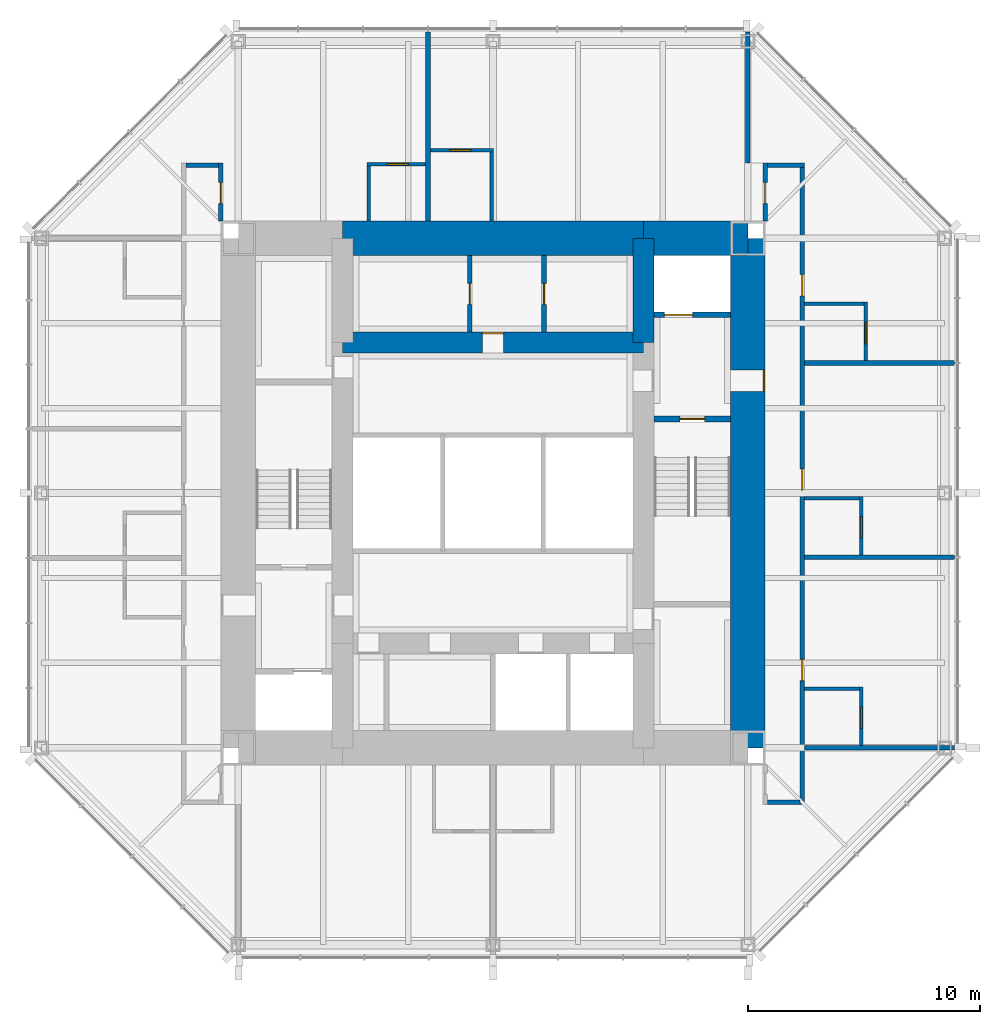
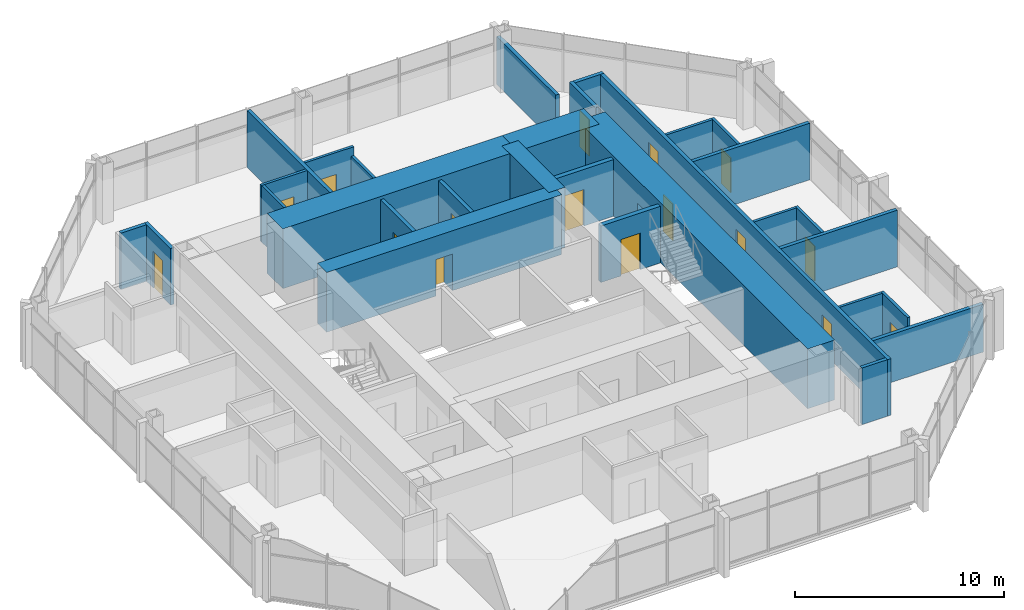
# One storey, part 9 of 11: 30 walls, 16 doors, 16 openings.
"""IFC4 building model written with IfcOpenShell, lengths in metres."""

import ifcopenshell
import ifcopenshell.guid

model = None  # the IFC model being written
_history = None  # IfcOwnerHistory: only IFC2X3 demands one
_inside = {}  # id of a spatial element -> (the spatial element, [elements in it])
_under = {}  # id of a project, library or spatial element -> (it, [spatial elements below it])
_declared = {}  # id of a project -> (the project, [libraries it declares])
_typed = {}  # id of a type object -> (the type object, [elements of that type])
_made_of = {}  # id of a material, layer set ... -> (it, [elements and type objects made of it])


def new_model(schema):
    """Start an empty IFC model of exactly this schema.

    Asked for "IFC4X3", IfcOpenShell would pick the latest addendum, in which some entities
    have other attributes; the version numbers below select the first issue.
    IFC2X3 requires an IfcOwnerHistory on every rooted entity: one is made here for all.
    """
    global model, _history
    if schema == "IFC4X3":
        model = ifcopenshell.file(schema_version=(4, 3, 0, 0))
    else:
        model = ifcopenshell.file(schema=schema)
    _inside.clear()
    _under.clear()
    _declared.clear()
    _typed.clear()
    _made_of.clear()
    _history = None
    if model.schema == "IFC2X3":
        org = make("IfcOrganization", Name="unknown")
        user = make(
            "IfcPersonAndOrganization",
            ThePerson=make("IfcPerson", FamilyName="unknown"),
            TheOrganization=org,
        )
        app = make(
            "IfcApplication",
            ApplicationDeveloper=org,
            Version="unknown",
            ApplicationFullName="unknown",
            ApplicationIdentifier="unknown",
        )
        _history = make(
            "IfcOwnerHistory",
            OwningUser=user,
            OwningApplication=app,
            ChangeAction="ADDED",
            CreationDate=0,
        )
    return model


def make(cls, **values):
    """One entity of the class cls with the attributes given. An attribute that is None is left unset."""
    return model.create_entity(
        cls, **{name: value for name, value in values.items() if value is not None}
    )


def rooted(cls, **values):
    """An entity with a GlobalId (a new one), such as an element, a storey or a relation."""
    return make(cls, GlobalId=ifcopenshell.guid.new(), OwnerHistory=_history, **values)


def si_unit(unit_type, name, prefix=None):
    """IfcSIUnit, for example si_unit("LENGTHUNIT", "METRE", prefix="MILLI")."""
    return make("IfcSIUnit", UnitType=unit_type, Prefix=prefix, Name=name)


def assignment(units):
    """IfcUnitAssignment: the units of a project."""
    return None if units is None else make("IfcUnitAssignment", Units=units)


def point(xyz):
    """IfcCartesianPoint."""
    return None if xyz is None else make("IfcCartesianPoint", Coordinates=xyz)


def direction(xyz):
    """IfcDirection."""
    return None if xyz is None else make("IfcDirection", DirectionRatios=xyz)


def frame(location, z_axis=None, x_axis=None):
    """IfcAxis2Placement3D, a coordinate frame: its origin and axes. An axis left out is left unset."""
    return make(
        "IfcAxis2Placement3D",
        Location=point(location),
        Axis=direction(z_axis),
        RefDirection=direction(x_axis),
    )


def frame_2d(location, x_axis=None):
    """IfcAxis2Placement2D, a coordinate frame in the plane: its origin and x axis."""
    return make(
        "IfcAxis2Placement2D", Location=point(location), RefDirection=direction(x_axis)
    )


def origin():
    """The frame at (0, 0, 0) with its axes left unset."""
    return frame((0.0, 0.0, 0.0))


def place(relative_to, where):
    """IfcLocalPlacement: puts the frame where relative to a parent placement (None: the world)."""
    return make(
        "IfcLocalPlacement", PlacementRelTo=relative_to, RelativePlacement=where
    )


def context(
    kind, dimensions, precision=None, world=None, true_north=None, identifier=None
):
    """IfcGeometricRepresentationContext, for example the 3D "Model" context."""
    return make(
        "IfcGeometricRepresentationContext",
        ContextIdentifier=identifier,
        ContextType=kind,
        CoordinateSpaceDimension=dimensions,
        Precision=precision,
        WorldCoordinateSystem=world,
        TrueNorth=true_north,
    )


def subcontext(parent, identifier, kind, view, scale=None):
    """IfcGeometricRepresentationSubContext, for example "Body" below "Model"."""
    return make(
        "IfcGeometricRepresentationSubContext",
        ContextIdentifier=identifier,
        ContextType=kind,
        ParentContext=parent,
        TargetScale=scale,
        TargetView=view,
    )


def project(units=None, contexts=None):
    """IfcProject with its units and contexts."""
    return rooted(
        "IfcProject",
        Name="project",
        RepresentationContexts=contexts,
        UnitsInContext=assignment(units),
    )


def spatial(cls, under=None, at=None, **own):
    """A site, building, storey or space (cls), placed at a placement, below another one or the project."""
    s = rooted(cls, ObjectPlacement=at, **own)
    if under is not None:
        _under.setdefault(under.id(), (under, []))[1].append(s)
    return s


def profile(cls, at=None, kind="AREA", **sizes):
    """A parametric profile (cls). Its sizes go by their IFC names, for example OverallWidth=200.0."""
    return make(cls, ProfileType=kind, Position=at, **sizes)


def rectangle(**sizes):
    """IfcRectangleProfileDef."""
    return profile("IfcRectangleProfileDef", **sizes)


def extrude(swept, where, along, depth):
    """IfcExtrudedAreaSolid: the profile swept, set in the frame where, extruded along a direction by depth."""
    return make(
        "IfcExtrudedAreaSolid",
        SweptArea=swept,
        Position=where,
        ExtrudedDirection=direction(along),
        Depth=depth,
    )


def shape(context_of_items, identifier, shape_type, items):
    """IfcShapeRepresentation: the items that make up one representation, for example the "Body"."""
    return make(
        "IfcShapeRepresentation",
        ContextOfItems=context_of_items,
        RepresentationIdentifier=identifier,
        RepresentationType=shape_type,
        Items=items,
    )


def material(Name=None, Category=None):
    """IfcMaterial."""
    return make("IfcMaterial", Name=Name, Category=Category)


def layer(
    of_material, thickness, ventilated=None, Name=None, Category=None, Priority=None
):
    """IfcMaterialLayer: one layer of a wall or slab, of a material (None: an air gap)."""
    return make(
        "IfcMaterialLayer",
        Material=of_material,
        LayerThickness=thickness,
        IsVentilated=ventilated,
        Name=Name,
        Category=Category,
        Priority=Priority,
    )


def layer_set(layers, Name=None):
    """IfcMaterialLayerSet."""
    return make("IfcMaterialLayerSet", MaterialLayers=layers, LayerSetName=Name)


def made_of(thing, what):
    """Note that an element or type object is made of a material, layer set ...; save() writes the relation."""
    if what is not None:
        _made_of.setdefault(what.id(), (what, []))[1].append(thing)
    return thing


def type_object(cls, material=None, **own):
    """A type object (cls), such as IfcWallType, which elements share."""
    return made_of(rooted(cls, **own), material)


def element(
    cls,
    number,
    at=None,
    inside=None,
    cuts=None,
    type_object=None,
    material=None,
    context=None,
    identifier="Body",
    shape_type=None,
    held_by="IfcProductDefinitionShape",
    body=None,
    shapes=None,
    **own,
):
    """One element of the class cls, such as IfcWall. Its Tag is "e" and its number.

    at: its placement. inside: the storey or other place that contains it. cuts: it is an
    opening in that element (IfcRelVoidsElement). A single representation is given by context,
    identifier, shape_type and body (its items); several are given by shapes. held_by: the class
    of the entity that holds the representations. save() writes the other relations.
    """
    e = rooted(cls, Tag="e%d" % number, ObjectPlacement=at, **own)
    if body is not None:
        shapes = [shape(context, identifier, shape_type, body)]
    if shapes is not None:
        e.Representation = make(held_by, Representations=shapes)
    if inside is not None:
        _inside.setdefault(inside.id(), (inside, []))[1].append(e)
    if cuts is not None:
        rooted(
            "IfcRelVoidsElement", RelatingBuildingElement=cuts, RelatedOpeningElement=e
        )
    if type_object is not None:
        _typed.setdefault(type_object.id(), (type_object, []))[1].append(e)
    return made_of(e, material)


def fill(opening, filler):
    """IfcRelFillsElement: the door or window that sits in an opening."""
    return rooted(
        "IfcRelFillsElement",
        RelatingOpeningElement=opening,
        RelatedBuildingElement=filler,
    )


def aggregate(whole, parts):
    """IfcRelAggregates: a whole, such as a stair, and the parts it consists of."""
    return rooted("IfcRelAggregates", RelatingObject=whole, RelatedObjects=parts)


def save(model, path):
    """Write the relations noted so far, then the file.

    IfcRelAggregates (storeys below a building ...), IfcRelContainedInSpatialStructure (elements
    in a storey), IfcRelDefinesByType, IfcRelAssociatesMaterial and IfcRelDeclares: one each for
    every whole, place, type object, material and project.
    """
    for whole, parts in _under.values():
        aggregate(whole, parts)
    for where, things in _inside.values():
        rooted(
            "IfcRelContainedInSpatialStructure",
            RelatedElements=things,
            RelatingStructure=where,
        )
    for kind, things in _typed.values():
        rooted("IfcRelDefinesByType", RelatedObjects=things, RelatingType=kind)
    for what, things in _made_of.values():
        rooted("IfcRelAssociatesMaterial", RelatedObjects=things, RelatingMaterial=what)
    for by, libraries in _declared.values():
        rooted("IfcRelDeclares", RelatingContext=by, RelatedDefinitions=libraries)
    model.write(path)


model = new_model("IFC4")

# Units and contexts
model_context = context("Model", 3, precision=1e-05, world=origin(), true_north=direction((0.0, 1.0)))
body_context = subcontext(model_context, "Body", "Model", "MODEL_VIEW")
ifc_project = project(units=[si_unit("LENGTHUNIT", "METRE"), si_unit("AREAUNIT", "SQUARE_METRE"), si_unit("VOLUMEUNIT", "CUBIC_METRE"), si_unit("PLANEANGLEUNIT", "RADIAN"), si_unit("MASSUNIT", "GRAM", prefix="KILO")], contexts=[model_context])

# Site, building, storey
site_placement = place(None, origin())
site = spatial("IfcSite", under=ifc_project, at=site_placement, CompositionType="ELEMENT")
building_placement = place(site_placement, origin())
building = spatial("IfcBuilding", under=site, at=building_placement, Name="Trevanion Tower", CompositionType="ELEMENT")
storey_placement = place(building_placement, frame((0.0, 0.0, 232.699951171875)))
storey = spatial("IfcBuildingStorey", under=building, at=storey_placement, Name="L56", CompositionType="ELEMENT", Elevation=232.699951171875)

# Wall, opening, door
ifc_material_1 = material(Name="Concrete 10,000 psi", Category="concrete")
ifc_layer_1 = layer(ifc_material_1, 1.5)
ifc_layer_set_1 = layer_set([ifc_layer_1], Name="CW1 core wall 1500")
wall_type_1 = type_object("IfcWallType", Name="CW1 core wall 1500", PredefinedType="SHEAR", material=ifc_layer_set_1)
wall_1_placement = place(storey_placement, frame((11.0, -11.0, 0.0), z_axis=(0.0, 0.0, 1.0), x_axis=(0.0, 1.0, 0.0)))
wall_1 = element("IfcWall", 1, at=wall_1_placement, inside=storey, type_object=wall_type_1, Name="CW1 CE L56", PredefinedType="SHEAR", context=body_context, shape_type="SweptSolid", body=[
    extrude(rectangle(XDim=22.0, YDim=1.5, at=frame_2d((11.0, 0.0))), origin(), (0.0, 0.0, 1.0), 3.5),
])
opening_1_placement = place(wall_1_placement, frame((15.392578125, 0.0, 0.0)))
opening_1 = element("IfcOpeningElement", 2, at=opening_1_placement, cuts=wall_1, Name="Opening 56-001", PredefinedType="OPENING", context=body_context, shape_type="SweptSolid", body=[
    extrude(rectangle(XDim=0.9150390625, YDim=2.134033203125, at=frame_2d((0.45751953125, 1.06689453125))), frame((0.0, 0.760009765625, 0.0), z_axis=(0.0, -1.0, 0.0), x_axis=(1.0, 0.0, 0.0)), (0.0, 0.0, 1.0), 1.52001953125),
])
ifc_material_2 = material(Name="Hollow metal, fire rated", Category="steel")
door_type_1 = type_object("IfcDoorType", Name="D3 fire lift lobby door", OperationType="SINGLE_SWING_RIGHT", PredefinedType="DOOR", material=ifc_material_2)
door_1_placement = place(opening_1_placement, origin())
door_1 = element("IfcDoor", 3, at=door_1_placement, inside=storey, type_object=door_type_1, Name="Door 56-001", OperationType="SINGLE_SWING_RIGHT", OverallHeight=2.134033203125, OverallWidth=0.9150390625, PredefinedType="DOOR", context=body_context, shape_type="SweptSolid", body=[
    extrude(rectangle(XDim=0.9150390625, YDim=2.134033203125, at=frame_2d((0.45751953125, 1.06689453125))), frame((0.0, -0.6748046875, 0.0), z_axis=(0.0, -1.0, 0.0), x_axis=(1.0, 0.0, 0.0)), (0.0, 0.0, 1.0), 0.050048828125),
])
fill(opening_1, door_1)

# Walls
wall_2_placement = place(storey_placement, frame((11.0, 11.0, 0.0), z_axis=(0.0, 0.0, 1.0), x_axis=(-1.0, 0.0, 0.0)))
element("IfcWall", 4, at=wall_2_placement, inside=storey, type_object=wall_type_1, Name="CW1 CN1 L56", PredefinedType="SHEAR", context=body_context, shape_type="SweptSolid", body=[
    extrude(rectangle(XDim=4.5, YDim=1.5, at=frame_2d((2.25, 0.0))), origin(), (0.0, 0.0, 1.0), 3.5),
])
wall_3_placement = place(storey_placement, frame((6.5, 11.0, 0.0), z_axis=(0.0, 0.0, 1.0), x_axis=(-1.0, 0.0, 0.0)))
element("IfcWall", 5, at=wall_3_placement, inside=storey, type_object=wall_type_1, Name="CW1 CN2 L56", PredefinedType="SHEAR", context=body_context, shape_type="SweptSolid", body=[
    extrude(rectangle(XDim=13.0, YDim=1.5, at=frame_2d((6.5, 0.0))), origin(), (0.0, 0.0, 1.0), 3.5),
])
ifc_material_3 = material(Name="Concrete 10,000 psi", Category="concrete")
ifc_layer_2 = layer(ifc_material_3, 0.89990234375)
ifc_layer_set_2 = layer_set([ifc_layer_2], Name="CW2 core wall 900")
wall_type_2 = type_object("IfcWallType", Name="CW2 core wall 900", PredefinedType="SHEAR", material=ifc_layer_set_2)
wall_4_placement = place(storey_placement, frame((6.5, 6.5, 0.0), z_axis=(0.0, 0.0, 1.0), x_axis=(0.0, 1.0, 0.0)))
element("IfcWall", 6, at=wall_4_placement, inside=storey, type_object=wall_type_2, Name="CW2 RE3 L56", PredefinedType="SHEAR", context=body_context, shape_type="SweptSolid", body=[
    extrude(rectangle(XDim=4.5, YDim=0.89990234375, at=frame_2d((2.25, 0.0))), origin(), (0.0, 0.0, 1.0), 3.5),
])

# Wall, opening, door
wall_5_placement = place(storey_placement, frame((6.5, 6.5, 0.0), z_axis=(0.0, 0.0, 1.0), x_axis=(-1.0, 0.0, 0.0)))
wall_5 = element("IfcWall", 7, at=wall_5_placement, inside=storey, type_object=wall_type_2, Name="CW2 RN L56", PredefinedType="SHEAR", context=body_context, shape_type="SweptSolid", body=[
    extrude(rectangle(XDim=13.0, YDim=0.89990234375, at=frame_2d((6.5, 0.0))), origin(), (0.0, 0.0, 1.0), 3.5),
])
opening_2_placement = place(wall_5_placement, frame((6.04248046875, 0.0, 0.0)))
opening_2 = element("IfcOpeningElement", 8, at=opening_2_placement, cuts=wall_5, Name="Opening 56-015", PredefinedType="OPENING", context=body_context, shape_type="SweptSolid", body=[
    extrude(rectangle(XDim=0.9150390625, YDim=2.134033203125, at=frame_2d((0.45751953125, 1.06689453125))), frame((0.0, 0.4599609375, 0.0), z_axis=(0.0, -1.0, 0.0), x_axis=(1.0, 0.0, 0.0)), (0.0, 0.0, 1.0), 0.919921875),
])
ifc_material_4 = material(Name="Hollow metal, fire rated", Category="steel")
door_type_2 = type_object("IfcDoorType", Name="D5 service room door", OperationType="SINGLE_SWING_RIGHT", PredefinedType="DOOR", material=ifc_material_4)
door_2_placement = place(opening_2_placement, origin())
door_2 = element("IfcDoor", 9, at=door_2_placement, inside=storey, type_object=door_type_2, Name="Door 56-015", OperationType="SINGLE_SWING_RIGHT", OverallHeight=2.134033203125, OverallWidth=0.9150390625, PredefinedType="DOOR", context=body_context, shape_type="SweptSolid", body=[
    extrude(rectangle(XDim=0.9150390625, YDim=2.134033203125, at=frame_2d((0.45751953125, 1.06689453125))), frame((0.0, -0.375, 0.0), z_axis=(0.0, -1.0, 0.0), x_axis=(1.0, 0.0, 0.0)), (0.0, 0.0, 1.0), 0.050048828125),
])
fill(opening_2, door_2)

ifc_material_5 = material(Name="Gypsum board on steel studs", Category="steel")
ifc_layer_3 = layer(ifc_material_5, 0.14990234375)
ifc_layer_set_3 = layer_set([ifc_layer_3], Name="PT1 partition 150")
wall_type_3 = type_object("IfcWallType", Name="PT1 partition 150", PredefinedType="PARTITIONING", material=ifc_layer_set_3)
wall_6_placement = place(storey_placement, frame((15.89990234375, -10.89990234375, 0.0), z_axis=(0.0, 0.0, 1.0), x_axis=(0.0, 1.0, 0.0)))
wall_6 = element("IfcWall", 10, at=wall_6_placement, inside=storey, type_object=wall_type_3, Name="PT1 L56 BA00", PredefinedType="PARTITIONING", context=body_context, shape_type="SweptSolid", body=[
    extrude(rectangle(XDim=2.52490234375, YDim=0.14990234375, at=frame_2d((1.262451171875, 0.0))), origin(), (0.0, 0.0, 1.0), 3.31005859375),
])
opening_3_placement = place(wall_6_placement, frame((0.742431640625, 0.0, 0.0)))
opening_3 = element("IfcOpeningElement", 11, at=opening_3_placement, cuts=wall_6, Name="Opening 56-018", PredefinedType="OPENING", context=body_context, shape_type="SweptSolid", body=[
    extrude(rectangle(XDim=0.9150390625, YDim=2.031982421875, at=frame_2d((0.45751953125, 1.01611328125))), frame((0.0, 0.0849609375, 0.0), z_axis=(0.0, -1.0, 0.0), x_axis=(1.0, 0.0, 0.0)), (0.0, 0.0, 1.0), 0.169921875),
])
ifc_material_6 = material(Name="Timber veneer", Category="wood")
door_type_3 = type_object("IfcDoorType", Name="D7 bathroom door", OperationType="SINGLE_SWING_LEFT", PredefinedType="DOOR", material=ifc_material_6)
door_3_placement = place(opening_3_placement, origin())
door_3 = element("IfcDoor", 12, at=door_3_placement, inside=storey, type_object=door_type_3, Name="Door 56-018", OperationType="SINGLE_SWING_LEFT", OverallHeight=2.031982421875, OverallWidth=0.9150390625, PredefinedType="DOOR", context=body_context, shape_type="SweptSolid", body=[
    extrude(rectangle(XDim=0.9150390625, YDim=2.031982421875, at=frame_2d((0.45751953125, 1.01611328125))), frame((0.0, 0.02490234375, 0.0), z_axis=(0.0, -1.0, 0.0), x_axis=(1.0, 0.0, 0.0)), (0.0, 0.0, 1.0), 0.050048828125),
])
fill(opening_3, door_3)

# Wall
wall_7_placement = place(storey_placement, frame((13.449951171875, -8.449951171875, 0.0), z_axis=(0.0, 0.0, 1.0), x_axis=(1.0, 0.0, 0.0)))
element("IfcWall", 13, at=wall_7_placement, inside=storey, type_object=wall_type_3, Name="PT1 L56 BB00", PredefinedType="PARTITIONING", context=body_context, shape_type="SweptSolid", body=[
    extrude(rectangle(XDim=2.375, YDim=0.14990234375, at=frame_2d((1.1875, 0.0))), origin(), (0.0, 0.0, 1.0), 3.31005859375),
])

# Wall, opening, door
wall_8_placement = place(storey_placement, frame((15.89990234375, -2.675048828125, 0.0), z_axis=(0.0, 0.0, 1.0), x_axis=(0.0, 1.0, 0.0)))
wall_8 = element("IfcWall", 14, at=wall_8_placement, inside=storey, type_object=wall_type_3, Name="PT1 L56 BA01", PredefinedType="PARTITIONING", context=body_context, shape_type="SweptSolid", body=[
    extrude(rectangle(XDim=2.525146484375, YDim=0.14990234375, at=frame_2d((1.2626953125, 0.0))), origin(), (0.0, 0.0, 1.0), 3.31005859375),
])
opening_4_placement = place(wall_8_placement, frame((0.742431640625, 0.0, 0.0)))
opening_4 = element("IfcOpeningElement", 15, at=opening_4_placement, cuts=wall_8, Name="Opening 56-020", PredefinedType="OPENING", context=body_context, shape_type="SweptSolid", body=[
    extrude(rectangle(XDim=0.9150390625, YDim=2.031982421875, at=frame_2d((0.45751953125, 1.01611328125))), frame((0.0, 0.0849609375, 0.0), z_axis=(0.0, -1.0, 0.0), x_axis=(1.0, 0.0, 0.0)), (0.0, 0.0, 1.0), 0.169921875),
])
door_4_placement = place(opening_4_placement, origin())
door_4 = element("IfcDoor", 16, at=door_4_placement, inside=storey, type_object=door_type_3, Name="Door 56-020", OperationType="SINGLE_SWING_LEFT", OverallHeight=2.031982421875, OverallWidth=0.9150390625, PredefinedType="DOOR", context=body_context, shape_type="SweptSolid", body=[
    extrude(rectangle(XDim=0.9150390625, YDim=2.031982421875, at=frame_2d((0.45751953125, 1.01611328125))), frame((0.0, 0.02490234375, 0.0), z_axis=(0.0, -1.0, 0.0), x_axis=(1.0, 0.0, 0.0)), (0.0, 0.0, 1.0), 0.050048828125),
])
fill(opening_4, door_4)

# Wall
wall_9_placement = place(storey_placement, frame((13.449951171875, -0.22509765625, 0.0), z_axis=(0.0, 0.0, 1.0), x_axis=(1.0, 0.0, 0.0)))
element("IfcWall", 17, at=wall_9_placement, inside=storey, type_object=wall_type_3, Name="PT1 L56 BB01", PredefinedType="PARTITIONING", context=body_context, shape_type="SweptSolid", body=[
    extrude(rectangle(XDim=2.375, YDim=0.14990234375, at=frame_2d((1.1875, 0.0))), origin(), (0.0, 0.0, 1.0), 3.31005859375),
])

# Wall, opening, door
wall_10_placement = place(storey_placement, frame((16.10009765625, 5.714111328125, 0.0), z_axis=(0.0, 0.0, 1.0), x_axis=(0.0, 1.0, 0.0)))
wall_10 = element("IfcWall", 18, at=wall_10_placement, inside=storey, type_object=wall_type_3, Name="PT1 L56 BA02", PredefinedType="PARTITIONING", context=body_context, shape_type="SweptSolid", body=[
    extrude(rectangle(XDim=2.52490234375, YDim=0.14990234375, at=frame_2d((1.262451171875, 0.0))), origin(), (0.0, 0.0, 1.0), 3.31005859375),
])
opening_5_placement = place(wall_10_placement, frame((0.742431640625, 0.0, 0.0)))
opening_5 = element("IfcOpeningElement", 19, at=opening_5_placement, cuts=wall_10, Name="Opening 56-022", PredefinedType="OPENING", context=body_context, shape_type="SweptSolid", body=[
    extrude(rectangle(XDim=0.9150390625, YDim=2.031982421875, at=frame_2d((0.45751953125, 1.01611328125))), frame((0.0, 0.0849609375, 0.0), z_axis=(0.0, -1.0, 0.0), x_axis=(1.0, 0.0, 0.0)), (0.0, 0.0, 1.0), 0.169921875),
])
door_5_placement = place(opening_5_placement, origin())
door_5 = element("IfcDoor", 20, at=door_5_placement, inside=storey, type_object=door_type_3, Name="Door 56-022", OperationType="SINGLE_SWING_LEFT", OverallHeight=2.031982421875, OverallWidth=0.9150390625, PredefinedType="DOOR", context=body_context, shape_type="SweptSolid", body=[
    extrude(rectangle(XDim=0.9150390625, YDim=2.031982421875, at=frame_2d((0.45751953125, 1.01611328125))), frame((0.0, 0.02490234375, 0.0), z_axis=(0.0, -1.0, 0.0), x_axis=(1.0, 0.0, 0.0)), (0.0, 0.0, 1.0), 0.050048828125),
])
fill(opening_5, door_5)

# Wall
wall_11_placement = place(storey_placement, frame((13.449951171875, 8.1640625, 0.0), z_axis=(0.0, 0.0, 1.0), x_axis=(1.0, 0.0, 0.0)))
element("IfcWall", 21, at=wall_11_placement, inside=storey, type_object=wall_type_3, Name="PT1 L56 BB02", PredefinedType="PARTITIONING", context=body_context, shape_type="SweptSolid", body=[
    extrude(rectangle(XDim=2.574951171875, YDim=0.14990234375, at=frame_2d((1.28759765625, 0.0))), origin(), (0.0, 0.0, 1.0), 3.31005859375),
])

# Wall, opening, door
wall_12_placement = place(storey_placement, frame((0.01806640625, 14.800048828125, 0.0), z_axis=(0.0, 0.0, 1.0), x_axis=(-1.0, 0.0, 0.0)))
wall_12 = element("IfcWall", 22, at=wall_12_placement, inside=storey, type_object=wall_type_3, Name="PT1 L56 BA10", PredefinedType="PARTITIONING", context=body_context, shape_type="SweptSolid", body=[
    extrude(rectangle(XDim=2.72509765625, YDim=0.14990234375, at=frame_2d((1.362548828125, 0.0))), origin(), (0.0, 0.0, 1.0), 3.31005859375),
])
opening_6_placement = place(wall_12_placement, frame((0.967529296875, 0.0, 0.0)))
opening_6 = element("IfcOpeningElement", 23, at=opening_6_placement, cuts=wall_12, Name="Opening 56-026", PredefinedType="OPENING", context=body_context, shape_type="SweptSolid", body=[
    extrude(rectangle(XDim=0.9150390625, YDim=2.031982421875, at=frame_2d((0.45751953125, 1.01611328125))), frame((0.0, 0.0849609375, 0.0), z_axis=(0.0, -1.0, 0.0), x_axis=(1.0, 0.0, 0.0)), (0.0, 0.0, 1.0), 0.169921875),
])
door_6_placement = place(opening_6_placement, origin())
door_6 = element("IfcDoor", 24, at=door_6_placement, inside=storey, type_object=door_type_3, Name="Door 56-026", OperationType="SINGLE_SWING_LEFT", OverallHeight=2.031982421875, OverallWidth=0.9150390625, PredefinedType="DOOR", context=body_context, shape_type="SweptSolid", body=[
    extrude(rectangle(XDim=0.9150390625, YDim=2.031982421875, at=frame_2d((0.45751953125, 1.01611328125))), frame((0.0, 0.02490234375, 0.0), z_axis=(0.0, -1.0, 0.0), x_axis=(1.0, 0.0, 0.0)), (0.0, 0.0, 1.0), 0.050048828125),
])
fill(opening_6, door_6)

# Wall
wall_13_placement = place(storey_placement, frame((-0.056884765625, 11.75, 0.0), z_axis=(0.0, 0.0, 1.0), x_axis=(0.0, 1.0, 0.0)))
element("IfcWall", 25, at=wall_13_placement, inside=storey, type_object=wall_type_3, Name="PT1 L56 BB10", PredefinedType="PARTITIONING", context=body_context, shape_type="SweptSolid", body=[
    extrude(rectangle(XDim=2.97509765625, YDim=0.14990234375, at=frame_2d((1.487548828125, 0.0))), origin(), (0.0, 0.0, 1.0), 2.802001953125),
])

# Wall, opening, door
wall_14_placement = place(storey_placement, frame((-2.906982421875, 14.199951171875, 0.0), z_axis=(0.0, 0.0, 1.0), x_axis=(-1.0, 0.0, 0.0)))
wall_14 = element("IfcWall", 26, at=wall_14_placement, inside=storey, type_object=wall_type_3, Name="PT1 L56 BA11", PredefinedType="PARTITIONING", context=body_context, shape_type="SweptSolid", body=[
    extrude(rectangle(XDim=2.52490234375, YDim=0.14990234375, at=frame_2d((1.262451171875, 0.0))), origin(), (0.0, 0.0, 1.0), 3.31005859375),
])
opening_7_placement = place(wall_14_placement, frame((0.742431640625, 0.0, 0.0)))
opening_7 = element("IfcOpeningElement", 27, at=opening_7_placement, cuts=wall_14, Name="Opening 56-027", PredefinedType="OPENING", context=body_context, shape_type="SweptSolid", body=[
    extrude(rectangle(XDim=0.9150390625, YDim=2.031982421875, at=frame_2d((0.45751953125, 1.01611328125))), frame((0.0, 0.0849609375, 0.0), z_axis=(0.0, -1.0, 0.0), x_axis=(1.0, 0.0, 0.0)), (0.0, 0.0, 1.0), 0.169921875),
])
door_7_placement = place(opening_7_placement, origin())
door_7 = element("IfcDoor", 28, at=door_7_placement, inside=storey, type_object=door_type_3, Name="Door 56-027", OperationType="SINGLE_SWING_LEFT", OverallHeight=2.031982421875, OverallWidth=0.9150390625, PredefinedType="DOOR", context=body_context, shape_type="SweptSolid", body=[
    extrude(rectangle(XDim=0.9150390625, YDim=2.031982421875, at=frame_2d((0.45751953125, 1.01611328125))), frame((0.0, 0.02490234375, 0.0), z_axis=(0.0, -1.0, 0.0), x_axis=(1.0, 0.0, 0.0)), (0.0, 0.0, 1.0), 0.050048828125),
])
fill(opening_7, door_7)

# Wall
wall_15_placement = place(storey_placement, frame((-5.35693359375, 11.75, 0.0), z_axis=(0.0, 0.0, 1.0), x_axis=(0.0, 1.0, 0.0)))
element("IfcWall", 29, at=wall_15_placement, inside=storey, type_object=wall_type_3, Name="PT1 L56 BB11", PredefinedType="PARTITIONING", context=body_context, shape_type="SweptSolid", body=[
    extrude(rectangle(XDim=2.375, YDim=0.14990234375, at=frame_2d((1.1875, 0.0))), origin(), (0.0, 0.0, 1.0), 3.31005859375),
])

# Wall, opening, door
ifc_material_7 = material(Name="Concrete masonry, grouted", Category="masonry")
ifc_layer_4 = layer(ifc_material_7, 0.199951171875)
ifc_layer_set_4 = layer_set([ifc_layer_4], Name="PT2 partition 200 1 HR")
wall_type_4 = type_object("IfcWallType", Name="PT2 partition 200 1 HR", PredefinedType="PARTITIONING", material=ifc_layer_set_4)
wall_16_placement = place(storey_placement, frame((-1.0, 6.949951171875, 0.0), z_axis=(0.0, 0.0, 1.0), x_axis=(0.0, 1.0, 0.0)))
wall_16 = element("IfcWall", 30, at=wall_16_placement, inside=storey, type_object=wall_type_4, Name="PT2 L56 HKP1", PredefinedType="PARTITIONING", context=body_context, shape_type="SweptSolid", body=[
    extrude(rectangle(XDim=3.300048828125, YDim=0.199951171875, at=frame_2d((1.64990234375, 0.0))), origin(), (0.0, 0.0, 1.0), 3.31005859375),
])
opening_8_placement = place(wall_16_placement, frame((1.1923828125, 0.0, 0.0)))
opening_8 = element("IfcOpeningElement", 31, at=opening_8_placement, cuts=wall_16, Name="Opening 56-016", PredefinedType="OPENING", context=body_context, shape_type="SweptSolid", body=[
    extrude(rectangle(XDim=0.9150390625, YDim=2.134033203125, at=frame_2d((0.45751953125, 1.06689453125))), frame((0.0, 0.10986328125, 0.0), z_axis=(0.0, -1.0, 0.0), x_axis=(1.0, 0.0, 0.0)), (0.0, 0.0, 1.0), 0.219970703125),
])
door_8_placement = place(opening_8_placement, origin())
door_8 = element("IfcDoor", 32, at=door_8_placement, inside=storey, type_object=door_type_2, Name="Door 56-016", OperationType="SINGLE_SWING_RIGHT", OverallHeight=2.134033203125, OverallWidth=0.9150390625, PredefinedType="DOOR", context=body_context, shape_type="SweptSolid", body=[
    extrude(rectangle(XDim=0.9150390625, YDim=2.134033203125, at=frame_2d((0.45751953125, 1.06689453125))), frame((0.0, 0.02490234375, 0.0), z_axis=(0.0, -1.0, 0.0), x_axis=(1.0, 0.0, 0.0)), (0.0, 0.0, 1.0), 0.050048828125),
])
fill(opening_8, door_8)

wall_17_placement = place(storey_placement, frame((2.199951171875, 6.949951171875, 0.0), z_axis=(0.0, 0.0, 1.0), x_axis=(0.0, 1.0, 0.0)))
wall_17 = element("IfcWall", 33, at=wall_17_placement, inside=storey, type_object=wall_type_4, Name="PT2 L56 HKP2", PredefinedType="PARTITIONING", context=body_context, shape_type="SweptSolid", body=[
    extrude(rectangle(XDim=3.300048828125, YDim=0.199951171875, at=frame_2d((1.64990234375, 0.0))), origin(), (0.0, 0.0, 1.0), 3.31005859375),
])
opening_9_placement = place(wall_17_placement, frame((1.1923828125, 0.0, 0.0)))
opening_9 = element("IfcOpeningElement", 34, at=opening_9_placement, cuts=wall_17, Name="Opening 56-017", PredefinedType="OPENING", context=body_context, shape_type="SweptSolid", body=[
    extrude(rectangle(XDim=0.9150390625, YDim=2.134033203125, at=frame_2d((0.45751953125, 1.06689453125))), frame((0.0, 0.10986328125, 0.0), z_axis=(0.0, -1.0, 0.0), x_axis=(1.0, 0.0, 0.0)), (0.0, 0.0, 1.0), 0.219970703125),
])
door_9_placement = place(opening_9_placement, origin())
door_9 = element("IfcDoor", 35, at=door_9_placement, inside=storey, type_object=door_type_2, Name="Door 56-017", OperationType="SINGLE_SWING_RIGHT", OverallHeight=2.134033203125, OverallWidth=0.9150390625, PredefinedType="DOOR", context=body_context, shape_type="SweptSolid", body=[
    extrude(rectangle(XDim=0.9150390625, YDim=2.134033203125, at=frame_2d((0.45751953125, 1.06689453125))), frame((0.0, 0.02490234375, 0.0), z_axis=(0.0, -1.0, 0.0), x_axis=(1.0, 0.0, 0.0)), (0.0, 0.0, 1.0), 0.050048828125),
])
fill(opening_9, door_9)

wall_18_placement = place(storey_placement, frame((11.75, 11.75, 0.0), z_axis=(0.0, 0.0, 1.0), x_axis=(0.0, 1.0, 0.0)))
wall_18 = element("IfcWall", 36, at=wall_18_placement, inside=storey, type_object=wall_type_4, Name="PT2 L56 HO1a", PredefinedType="PARTITIONING", context=body_context, shape_type="SweptSolid", body=[
    extrude(rectangle(XDim=2.5, YDim=0.199951171875, at=frame_2d((1.25, 0.0))), origin(), (0.0, 0.0, 1.0), 3.31005859375),
])
opening_10_placement = place(wall_18_placement, frame((0.742431640625, 0.0, 0.0)))
opening_10 = element("IfcOpeningElement", 37, at=opening_10_placement, cuts=wall_18, Name="Opening 56-024", PredefinedType="OPENING", context=body_context, shape_type="SweptSolid", body=[
    extrude(rectangle(XDim=0.9150390625, YDim=2.134033203125, at=frame_2d((0.45751953125, 1.06689453125))), frame((0.0, 0.10986328125, 0.0), z_axis=(0.0, -1.0, 0.0), x_axis=(1.0, 0.0, 0.0)), (0.0, 0.0, 1.0), 0.219970703125),
])
ifc_material_8 = material(Name="Timber veneer, fire rated", Category="wood")
door_type_4 = type_object("IfcDoorType", Name="D6 guest room entrance door", OperationType="SINGLE_SWING_LEFT", PredefinedType="DOOR", material=ifc_material_8)
door_10_placement = place(opening_10_placement, origin())
door_10 = element("IfcDoor", 38, at=door_10_placement, inside=storey, type_object=door_type_4, Name="Door 56-024", OperationType="SINGLE_SWING_LEFT", OverallHeight=2.134033203125, OverallWidth=0.9150390625, PredefinedType="DOOR", context=body_context, shape_type="SweptSolid", body=[
    extrude(rectangle(XDim=0.9150390625, YDim=2.134033203125, at=frame_2d((0.45751953125, 1.06689453125))), frame((0.0, 0.02490234375, 0.0), z_axis=(0.0, -1.0, 0.0), x_axis=(1.0, 0.0, 0.0)), (0.0, 0.0, 1.0), 0.050048828125),
])
fill(opening_10, door_10)

wall_19_placement = place(storey_placement, frame((-11.75, 11.75, 0.0), z_axis=(0.0, 0.0, 1.0), x_axis=(0.0, 1.0, 0.0)))
wall_19 = element("IfcWall", 39, at=wall_19_placement, inside=storey, type_object=wall_type_4, Name="PT2 L56 HO1b", PredefinedType="PARTITIONING", context=body_context, shape_type="SweptSolid", body=[
    extrude(rectangle(XDim=2.5, YDim=0.199951171875, at=frame_2d((1.25, 0.0))), origin(), (0.0, 0.0, 1.0), 3.31005859375),
])
opening_11_placement = place(wall_19_placement, frame((0.742431640625, 0.0, 0.0)))
opening_11 = element("IfcOpeningElement", 40, at=opening_11_placement, cuts=wall_19, Name="Opening 56-025", PredefinedType="OPENING", context=body_context, shape_type="SweptSolid", body=[
    extrude(rectangle(XDim=0.9150390625, YDim=2.134033203125, at=frame_2d((0.45751953125, 1.06689453125))), frame((0.0, 0.10986328125, 0.0), z_axis=(0.0, -1.0, 0.0), x_axis=(1.0, 0.0, 0.0)), (0.0, 0.0, 1.0), 0.219970703125),
])
door_11_placement = place(opening_11_placement, origin())
door_11 = element("IfcDoor", 41, at=door_11_placement, inside=storey, type_object=door_type_4, Name="Door 56-025", OperationType="SINGLE_SWING_LEFT", OverallHeight=2.134033203125, OverallWidth=0.9150390625, PredefinedType="DOOR", context=body_context, shape_type="SweptSolid", body=[
    extrude(rectangle(XDim=0.9150390625, YDim=2.134033203125, at=frame_2d((0.45751953125, 1.06689453125))), frame((0.0, 0.02490234375, 0.0), z_axis=(0.0, -1.0, 0.0), x_axis=(1.0, 0.0, 0.0)), (0.0, 0.0, 1.0), 0.050048828125),
])
fill(opening_11, door_11)

# Walls
wall_20_placement = place(storey_placement, frame((13.449951171875, 14.14990234375, 0.0), z_axis=(0.0, 0.0, 1.0), x_axis=(-1.0, 0.0, 0.0)))
element("IfcWall", 42, at=wall_20_placement, inside=storey, type_object=wall_type_4, Name="PT2 L56 HC1ca", PredefinedType="PARTITIONING", context=body_context, shape_type="SweptSolid", body=[
    extrude(rectangle(XDim=1.599853515625, YDim=0.199951171875, at=frame_2d((0.7998046875, 0.0))), origin(), (0.0, 0.0, 1.0), 3.31005859375),
])
for number, where, z_axis, x_axis, name in (
    (43, (-11.85009765625, 14.14990234375, 0.0), (0.0, 0.0, 1.0), (-1.0, 0.0, 0.0), "PT2 L56 HC1cb"),
    (44, (11.85009765625, -13.35009765625, 0.0), (0.0, 0.0, 1.0), (1.0, 0.0, 0.0), "PT2 L56 HC3cb"),
):
    element("IfcWall", number, at=place(storey_placement, frame(where, z_axis=z_axis, x_axis=x_axis)), inside=storey, type_object=wall_type_4, Name=name, PredefinedType="PARTITIONING", context=body_context, shape_type="SweptSolid", body=[
        extrude(rectangle(XDim=1.39990234375, YDim=0.199951171875, at=frame_2d((0.699951171875, 0.0))), origin(), (0.0, 0.0, 1.0), 3.31005859375),
    ])

# Wall, openings, doors
wall_21_placement = place(storey_placement, frame((13.35009765625, -13.449951171875, 0.0), z_axis=(0.0, 0.0, 1.0), x_axis=(0.0, 1.0, 0.0)))
wall_21 = element("IfcWall", 45, at=wall_21_placement, inside=storey, type_object=wall_type_4, Name="PT2 L56 HC0", PredefinedType="PARTITIONING", context=body_context, shape_type="SweptSolid", body=[
    extrude(rectangle(XDim=27.5, YDim=0.199951171875, at=frame_2d((13.75, 0.0))), origin(), (0.0, 0.0, 1.0), 3.31005859375),
])
opening_12_placement = place(wall_21_placement, frame((5.3525390625, 0.0, 0.0)))
opening_12 = element("IfcOpeningElement", 46, at=opening_12_placement, cuts=wall_21, Name="Opening 56-019", PredefinedType="OPENING", context=body_context, shape_type="SweptSolid", body=[
    extrude(rectangle(XDim=0.9150390625, YDim=2.134033203125, at=frame_2d((0.45751953125, 1.06689453125))), frame((0.0, 0.10986328125, 0.0), z_axis=(0.0, -1.0, 0.0), x_axis=(1.0, 0.0, 0.0)), (0.0, 0.0, 1.0), 0.219970703125),
])
opening_13_placement = place(wall_21_placement, frame((13.577392578125, 0.0, 0.0)))
opening_13 = element("IfcOpeningElement", 47, at=opening_13_placement, cuts=wall_21, Name="Opening 56-021", PredefinedType="OPENING", context=body_context, shape_type="SweptSolid", body=[
    extrude(rectangle(XDim=0.9150390625, YDim=2.134033203125, at=frame_2d((0.45751953125, 1.06689453125))), frame((0.0, 0.10986328125, 0.0), z_axis=(0.0, -1.0, 0.0), x_axis=(1.0, 0.0, 0.0)), (0.0, 0.0, 1.0), 0.219970703125),
])
opening_14_placement = place(wall_21_placement, frame((21.966552734375, 0.0, 0.0)))
opening_14 = element("IfcOpeningElement", 48, at=opening_14_placement, cuts=wall_21, Name="Opening 56-023", PredefinedType="OPENING", context=body_context, shape_type="SweptSolid", body=[
    extrude(rectangle(XDim=0.9150390625, YDim=2.134033203125, at=frame_2d((0.45751953125, 1.06689453125))), frame((0.0, 0.10986328125, 0.0), z_axis=(0.0, -1.0, 0.0), x_axis=(1.0, 0.0, 0.0)), (0.0, 0.0, 1.0), 0.219970703125),
])
door_12_placement = place(opening_12_placement, origin())
door_12 = element("IfcDoor", 49, at=door_12_placement, inside=storey, type_object=door_type_4, Name="Door 56-019", OperationType="SINGLE_SWING_LEFT", OverallHeight=2.134033203125, OverallWidth=0.9150390625, PredefinedType="DOOR", context=body_context, shape_type="SweptSolid", body=[
    extrude(rectangle(XDim=0.9150390625, YDim=2.134033203125, at=frame_2d((0.45751953125, 1.06689453125))), frame((0.0, 0.02490234375, 0.0), z_axis=(0.0, -1.0, 0.0), x_axis=(1.0, 0.0, 0.0)), (0.0, 0.0, 1.0), 0.050048828125),
])
fill(opening_12, door_12)
door_13_placement = place(opening_13_placement, origin())
door_13 = element("IfcDoor", 50, at=door_13_placement, inside=storey, type_object=door_type_4, Name="Door 56-021", OperationType="SINGLE_SWING_LEFT", OverallHeight=2.134033203125, OverallWidth=0.9150390625, PredefinedType="DOOR", context=body_context, shape_type="SweptSolid", body=[
    extrude(rectangle(XDim=0.9150390625, YDim=2.134033203125, at=frame_2d((0.45751953125, 1.06689453125))), frame((0.0, 0.02490234375, 0.0), z_axis=(0.0, -1.0, 0.0), x_axis=(1.0, 0.0, 0.0)), (0.0, 0.0, 1.0), 0.050048828125),
])
fill(opening_13, door_13)
door_14_placement = place(opening_14_placement, origin())
door_14 = element("IfcDoor", 51, at=door_14_placement, inside=storey, type_object=door_type_4, Name="Door 56-023", OperationType="SINGLE_SWING_LEFT", OverallHeight=2.134033203125, OverallWidth=0.9150390625, PredefinedType="DOOR", context=body_context, shape_type="SweptSolid", body=[
    extrude(rectangle(XDim=0.9150390625, YDim=2.134033203125, at=frame_2d((0.45751953125, 1.06689453125))), frame((0.0, 0.02490234375, 0.0), z_axis=(0.0, -1.0, 0.0), x_axis=(1.0, 0.0, 0.0)), (0.0, 0.0, 1.0), 0.050048828125),
])
fill(opening_14, door_14)

# Walls
wall_22_placement = place(storey_placement, frame((13.449951171875, -11.0, 0.0), z_axis=(0.0, 0.0, 1.0), x_axis=(1.0, 0.0, 0.0)))
element("IfcWall", 52, at=wall_22_placement, inside=storey, type_object=wall_type_4, Name="PT2 L56 HD00", PredefinedType="PARTITIONING", context=body_context, shape_type="SweptSolid", body=[
    extrude(rectangle(XDim=6.465087890625, YDim=0.199951171875, at=frame_2d((3.232421875, 0.0))), origin(), (0.0, 0.0, 1.0), 2.802001953125),
])
for number, where, z_axis, x_axis, name in (
    (53, (13.449951171875, -2.77490234375, 0.0), (0.0, 0.0, 1.0), (1.0, 0.0, 0.0), "PT2 L56 HD01"),
    (54, (13.449951171875, 5.614013671875, 0.0), (0.0, 0.0, 1.0), (1.0, 0.0, 0.0), "PT2 L56 HD02"),
):
    element("IfcWall", number, at=place(storey_placement, frame(where, z_axis=z_axis, x_axis=x_axis)), inside=storey, type_object=wall_type_4, Name=name, PredefinedType="PARTITIONING", context=body_context, shape_type="SweptSolid", body=[
        extrude(rectangle(XDim=6.465087890625, YDim=0.199951171875, at=frame_2d((3.232421875, 0.0))), origin(), (0.0, 0.0, 1.0), 3.31005859375),
    ])
wall_23_placement = place(storey_placement, frame((11.0, 14.25, 0.0), z_axis=(0.0, 0.0, 1.0), x_axis=(0.0, 1.0, 0.0)))
element("IfcWall", 55, at=wall_23_placement, inside=storey, type_object=wall_type_4, Name="PT2 L56 HD10", PredefinedType="PARTITIONING", context=body_context, shape_type="SweptSolid", body=[
    extrude(rectangle(XDim=5.6650390625, YDim=0.199951171875, at=frame_2d((2.83251953125, 0.0))), origin(), (0.0, 0.0, 1.0), 2.802001953125),
])
wall_24_placement = place(storey_placement, frame((-2.806884765625, 11.75, 0.0), z_axis=(0.0, 0.0, 1.0), x_axis=(0.0, 1.0, 0.0)))
element("IfcWall", 56, at=wall_24_placement, inside=storey, type_object=wall_type_4, Name="PT2 L56 HD11", PredefinedType="PARTITIONING", context=body_context, shape_type="SweptSolid", body=[
    extrude(rectangle(XDim=8.1650390625, YDim=0.199951171875, at=frame_2d((4.08251953125, 0.0))), origin(), (0.0, 0.0, 1.0), 3.31005859375),
])

# Wall, opening, door
ifc_material_9 = material(Name="Concrete masonry, grouted, two-hour", Category="masonry")
ifc_layer_5 = layer(ifc_material_9, 0.25)
ifc_layer_set_5 = layer_set([ifc_layer_5], Name="PT3 partition 250 2 HR")
wall_type_5 = type_object("IfcWallType", Name="PT3 partition 250 2 HR", PredefinedType="PARTITIONING", material=ifc_layer_set_5)
wall_25_placement = place(storey_placement, frame((6.949951171875, 7.699951171875, 0.0), z_axis=(0.0, 0.0, 1.0), x_axis=(1.0, 0.0, 0.0)))
wall_25 = element("IfcWall", 57, at=wall_25_placement, inside=storey, type_object=wall_type_5, Name="PT3 L56 EP3", PredefinedType="PARTITIONING", context=body_context, shape_type="SweptSolid", body=[
    extrude(rectangle(XDim=3.300048828125, YDim=0.25, at=frame_2d((1.64990234375, 0.0))), origin(), (0.0, 0.0, 1.0), 3.31005859375),
])
opening_15_placement = place(wall_25_placement, frame((0.449951171875, 0.0, 0.0)))
opening_15 = element("IfcOpeningElement", 58, at=opening_15_placement, cuts=wall_25, Name="Opening 56-007", PredefinedType="OPENING", context=body_context, shape_type="SweptSolid", body=[
    extrude(rectangle(XDim=1.218994140625, YDim=2.134033203125, at=frame_2d((0.609375, 1.06689453125))), frame((0.0, 0.135009765625, 0.0), z_axis=(0.0, -1.0, 0.0), x_axis=(1.0, 0.0, 0.0)), (0.0, 0.0, 1.0), 0.27001953125),
])
ifc_material_10 = material(Name="Stainless steel, fire rated", Category="steel")
door_type_5 = type_object("IfcDoorType", Name="LD2 fire service lift landing door", OperationType="SLIDING_TO_LEFT", PredefinedType="DOOR", material=ifc_material_10)
door_15_placement = place(opening_15_placement, origin())
door_15 = element("IfcDoor", 59, at=door_15_placement, inside=storey, type_object=door_type_5, Name="Door 56-007", OperationType="SLIDING_TO_LEFT", OverallHeight=2.134033203125, OverallWidth=1.218994140625, PredefinedType="DOOR", context=body_context, shape_type="SweptSolid", body=[
    extrude(rectangle(XDim=1.218994140625, YDim=2.134033203125, at=frame_2d((0.609375, 1.06689453125))), frame((0.0, 0.02490234375, 0.0), z_axis=(0.0, -1.0, 0.0), x_axis=(1.0, 0.0, 0.0)), (0.0, 0.0, 1.0), 0.050048828125),
])
fill(opening_15, door_15)

ifc_material_11 = material(Name="Reinforced masonry, fully grouted", Category="masonry")
ifc_layer_6 = layer(ifc_material_11, 0.25)
ifc_layer_set_6 = layer_set([ifc_layer_6], Name="SW1 stair shaft wall 250")
wall_type_6 = type_object("IfcWallType", Name="SW1 stair shaft wall 250", PredefinedType="SOLIDWALL", material=ifc_layer_set_6)
wall_26_placement = place(storey_placement, frame((6.949951171875, 3.199951171875, 0.0), z_axis=(0.0, 0.0, 1.0), x_axis=(1.0, 0.0, 0.0)))
wall_26 = element("IfcWall", 60, at=wall_26_placement, inside=storey, type_object=wall_type_6, Name="SW1 L56 EP2", PredefinedType="SOLIDWALL", context=body_context, shape_type="SweptSolid", body=[
    extrude(rectangle(XDim=3.300048828125, YDim=0.25, at=frame_2d((1.64990234375, 0.0))), origin(), (0.0, 0.0, 1.0), 3.31005859375),
])
opening_16_placement = place(wall_26_placement, frame((1.116455078125, 0.0, 0.0)))
opening_16 = element("IfcOpeningElement", 61, at=opening_16_placement, cuts=wall_26, Name="Opening 56-005", PredefinedType="OPENING", context=body_context, shape_type="SweptSolid", body=[
    extrude(rectangle(XDim=1.06689453125, YDim=2.134033203125, at=frame_2d((0.533447265625, 1.06689453125))), frame((0.0, 0.135009765625, 0.0), z_axis=(0.0, -1.0, 0.0), x_axis=(1.0, 0.0, 0.0)), (0.0, 0.0, 1.0), 0.27001953125),
])
ifc_material_12 = material(Name="Hollow metal, fire rated", Category="steel")
door_type_6 = type_object("IfcDoorType", Name="D2 exit stair door", OperationType="SINGLE_SWING_LEFT", PredefinedType="DOOR", material=ifc_material_12)
door_16_placement = place(opening_16_placement, origin())
door_16 = element("IfcDoor", 62, at=door_16_placement, inside=storey, type_object=door_type_6, Name="Door 56-005", OperationType="SINGLE_SWING_LEFT", OverallHeight=2.134033203125, OverallWidth=1.06689453125, PredefinedType="DOOR", context=body_context, shape_type="SweptSolid", body=[
    extrude(rectangle(XDim=1.06689453125, YDim=2.134033203125, at=frame_2d((0.533447265625, 1.06689453125))), frame((0.0, 0.02490234375, 0.0), z_axis=(0.0, -1.0, 0.0), x_axis=(1.0, 0.0, 0.0)), (0.0, 0.0, 1.0), 0.050048828125),
])
fill(opening_16, door_16)

save(model, "model.ifc")
